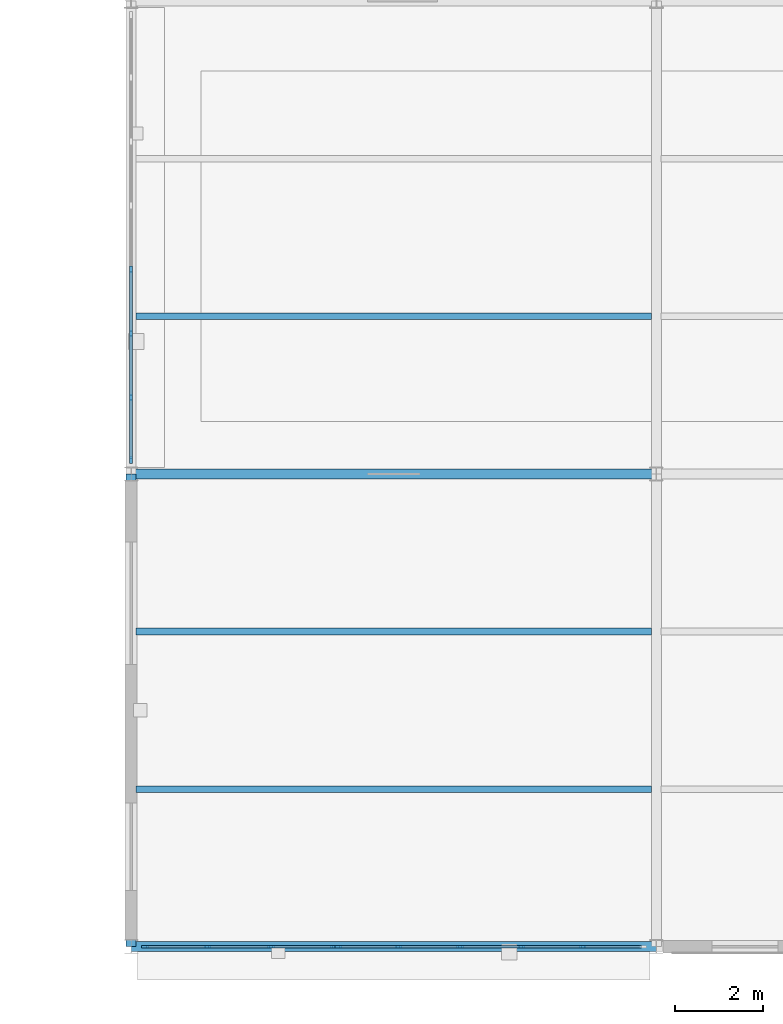
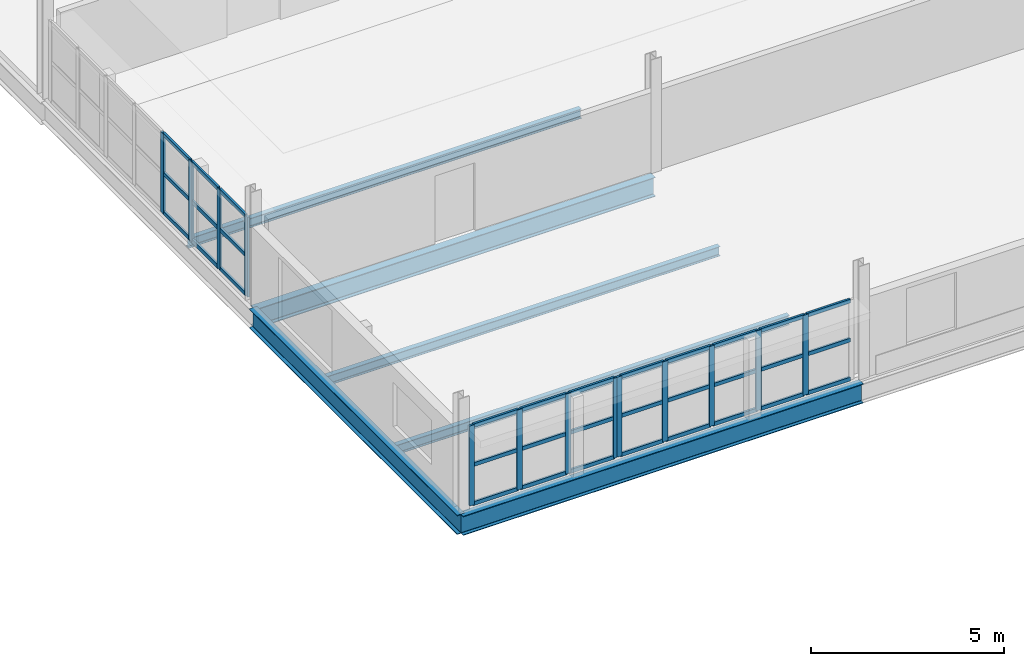
# One storey, part 29 of 101: 46 members, 6 beams, 3 elements without a shape of their own.
"""IFC4 building model written with IfcOpenShell, lengths in metres."""

from ifc_helpers import new_model, si_unit, direction, frame, origin, origin_2d, place, context, subcontext, project, spatial, rectangle, i_section, extrude, material, layer, layer_set, material_profile, profile_set, type_object, element, aggregate, save


model = new_model("IFC4")

# Units and contexts
model_context = context("Model", 3, precision=1e-05, world=origin(), true_north=direction((0.0, 1.0)))
body_context = subcontext(model_context, "Body", "Model", "MODEL_VIEW")
ifc_project = project(units=[si_unit("LENGTHUNIT", "METRE"), si_unit("AREAUNIT", "SQUARE_METRE"), si_unit("VOLUMEUNIT", "CUBIC_METRE"), si_unit("PLANEANGLEUNIT", "RADIAN"), si_unit("MASSUNIT", "GRAM", prefix="KILO"), si_unit("THERMODYNAMICTEMPERATUREUNIT", "KELVIN"), si_unit("POWERUNIT", "WATT")], contexts=[model_context])

# Site, building, storey
site_placement = place(None, origin())
site = spatial("IfcSite", under=ifc_project, at=site_placement, CompositionType="ELEMENT")
building_placement = place(site_placement, origin())
building = spatial("IfcBuilding", under=site, at=building_placement, Name="Tembeka Court Mobility Hub", CompositionType="ELEMENT")
storey_placement = place(building_placement, frame((0.0, 0.0, 5.39990234375)))
storey = spatial("IfcBuildingStorey", under=building, at=storey_placement, Name="L01", CompositionType="ELEMENT", Elevation=5.39990234375)

# Beams
ifc_material_1 = material(Name="Steel S355", Category="steel")
ifc_material_profile_1 = material_profile(ifc_material_1, i_section(OverallWidth=0.22900390625, OverallDepth=0.612060546875, WebThickness=0.011962890625, FlangeThickness=0.01953125, FilletRadius=0.0126953125, at=origin_2d()), Name="UKB 610x229x125")
ifc_profile_set_1 = profile_set([ifc_material_profile_1], Name="Steel S355")
beam_type_1 = type_object("IfcBeamType", Name="BM-G02", PredefinedType="USERDEFINED", material=ifc_profile_set_1)
for number, where, z_axis, x_axis, name in (
    (1, (116.39990234375, 0.0, -0.495849609375), (1.0, 0.0, 0.0), (0.0, 1.0, 0.0), "Beam G02 (BM-L01-X0616)"),
    (2, (116.39990234375, 10.800048828125, -0.495849609375), (1.0, 0.0, 0.0), (0.0, 1.0, 0.0), "Beam G02 (BM-L01-X0624)"),
):
    element("IfcBeam", number, at=place(storey_placement, frame(where, z_axis=z_axis, x_axis=x_axis)), inside=storey, type_object=beam_type_1, Name=name, ObjectType="GIRDER", PredefinedType="USERDEFINED", context=body_context, shape_type="SweptSolid", body=[
        extrude(i_section(OverallWidth=0.22900390625, OverallDepth=0.612060546875, WebThickness=0.011962890625, FlangeThickness=0.01953125, FilletRadius=0.0126953125, at=origin_2d()), origin(), (0.0, 0.0, 1.0), 12.0),
    ])
beam_placement = place(storey_placement, frame((116.39990234375, 0.0, -0.495849609375), z_axis=(0.0, 1.0, 0.0), x_axis=(-1.0, 0.0, 0.0)))
element("IfcBeam", 3, at=beam_placement, inside=storey, type_object=beam_type_1, Name="Beam G02 (BM-L01-Y0872)", ObjectType="GIRDER", PredefinedType="USERDEFINED", context=body_context, shape_type="SweptSolid", body=[
    extrude(i_section(OverallWidth=0.22900390625, OverallDepth=0.612060546875, WebThickness=0.011962890625, FlangeThickness=0.01953125, FilletRadius=0.0126953125, at=origin_2d()), origin(), (0.0, 0.0, 1.0), 10.800048828125),
])
ifc_material_profile_2 = material_profile(ifc_material_1, i_section(OverallWidth=0.14990234375, OverallDepth=0.300048828125, WebThickness=0.007080078125, FlangeThickness=0.0107421875, FilletRadius=0.014892578125, at=origin_2d()), Name="IPE 300")
ifc_profile_set_2 = profile_set([ifc_material_profile_2], Name="Steel S355")
beam_type_2 = type_object("IfcBeamType", Name="BM-J04", PredefinedType="JOIST", material=ifc_profile_set_2)
for number, where, z_axis, x_axis, name in (
    (4, (116.509521484375, 3.60009765625, -0.33984375), (1.0, 0.0, 0.0), (0.0, 1.0, 0.0), "Beam J04 (JST-L01-1107)"),
    (5, (116.509521484375, 7.199951171875, -0.33984375), (1.0, 0.0, 0.0), (0.0, 1.0, 0.0), "Beam J04 (JST-L01-1108)"),
    (6, (116.509521484375, 14.39990234375, -0.33984375), (1.0, 0.0, 0.0), (0.0, 1.0, 0.0), "Beam J04 (JST-L01-1109)"),
):
    element("IfcBeam", number, at=place(storey_placement, frame(where, z_axis=z_axis, x_axis=x_axis)), inside=storey, type_object=beam_type_2, Name=name, PredefinedType="JOIST", context=body_context, shape_type="SweptSolid", body=[
        extrude(i_section(OverallWidth=0.14990234375, OverallDepth=0.300048828125, WebThickness=0.007080078125, FlangeThickness=0.0107421875, FilletRadius=0.014892578125, at=origin_2d()), origin(), (0.0, 0.0, 1.0), 11.781005859375),
    ])

# Curtain wall, members
ifc_material_2 = material(Name="Anodised aluminium 6063-T6", Category="aluminium")
ifc_layer_1 = layer(ifc_material_2, 0.159912109375)
ifc_layer_set_1 = layer_set([ifc_layer_1], Name="Anodised aluminium 6063-T6")
curtain_wall_type_1 = type_object("IfcCurtainWallType", Name="CW-SYS37", PredefinedType="USERDEFINED", material=ifc_layer_set_1)
curtain_wall_1_placement = place(storey_placement, origin())
curtain_wall_1 = element("IfcCurtainWall", 7, at=curtain_wall_1_placement, inside=storey, type_object=curtain_wall_type_1, Name="Unitised curtain wall CW37 (CW-L01-105)", ObjectType="UNITISED GLAZING", PredefinedType="USERDEFINED")
ifc_material_profile_3 = material_profile(ifc_material_2, rectangle(XDim=0.06494140625, YDim=0.159912109375, at=origin_2d()), Name="ALU-MUL 65x160")
ifc_profile_set_3 = profile_set([ifc_material_profile_3], Name="Anodised aluminium 6063-T6")
member_type_1 = type_object("IfcMemberType", Name="CW-MUL01", PredefinedType="MULLION", material=ifc_profile_set_3)
member_1_placement = place(storey_placement, frame((116.71240234375, 0.0, 0.0), z_axis=(0.0, 0.0, 1.0), x_axis=(0.0, 1.0, 0.0)))
member_1 = element("IfcMember", 8, at=member_1_placement, type_object=member_type_1, Name="CW37 mullion 1", PredefinedType="MULLION", context=body_context, shape_type="SweptSolid", body=[
    extrude(rectangle(XDim=0.06494140625, YDim=0.159912109375, at=origin_2d()), origin(), (0.0, 0.0, 1.0), 2.53515625),
])
member_2_placement = place(storey_placement, frame((118.139892578125, 0.0, 0.0), z_axis=(0.0, 0.0, 1.0), x_axis=(0.0, 1.0, 0.0)))
member_2 = element("IfcMember", 9, at=member_2_placement, type_object=member_type_1, Name="CW37 mullion 2", PredefinedType="MULLION", context=body_context, shape_type="SweptSolid", body=[
    extrude(rectangle(XDim=0.06494140625, YDim=0.159912109375, at=origin_2d()), origin(), (0.0, 0.0, 1.0), 2.53515625),
])
member_3_placement = place(storey_placement, frame((119.60009765625, 0.0, 0.0), z_axis=(0.0, 0.0, 1.0), x_axis=(0.0, 1.0, 0.0)))
member_3 = element("IfcMember", 10, at=member_3_placement, type_object=member_type_1, Name="CW37 mullion 3", PredefinedType="MULLION", context=body_context, shape_type="SweptSolid", body=[
    extrude(rectangle(XDim=0.06494140625, YDim=0.159912109375, at=origin_2d()), origin(), (0.0, 0.0, 1.0), 2.53515625),
])
member_4_placement = place(storey_placement, frame((121.027587890625, 0.0, 0.0), z_axis=(0.0, 0.0, 1.0), x_axis=(0.0, 1.0, 0.0)))
member_4 = element("IfcMember", 11, at=member_4_placement, type_object=member_type_1, Name="CW37 mullion 4", PredefinedType="MULLION", context=body_context, shape_type="SweptSolid", body=[
    extrude(rectangle(XDim=0.06494140625, YDim=0.159912109375, at=origin_2d()), origin(), (0.0, 0.0, 1.0), 2.53515625),
])

ifc_layer_2 = layer(ifc_material_2, 0.159912109375)
ifc_layer_set_2 = layer_set([ifc_layer_2], Name="Anodised aluminium 6063-T6")
curtain_wall_type_2 = type_object("IfcCurtainWallType", Name="CW-SYS38", PredefinedType="USERDEFINED", material=ifc_layer_set_2)
curtain_wall_2_placement = place(storey_placement, origin())
curtain_wall_2 = element("IfcCurtainWall", 12, at=curtain_wall_2_placement, inside=storey, type_object=curtain_wall_type_2, Name="Unitised curtain wall CW38 (CW-L01-106)", ObjectType="UNITISED GLAZING", PredefinedType="USERDEFINED")
member_5_placement = place(storey_placement, frame((121.132568359375, 0.0, 0.0), z_axis=(0.0, 0.0, 1.0), x_axis=(0.0, 1.0, 0.0)))
member_5 = element("IfcMember", 13, at=member_5_placement, type_object=member_type_1, Name="CW38 mullion 1", PredefinedType="MULLION", context=body_context, shape_type="SweptSolid", body=[
    extrude(rectangle(XDim=0.06494140625, YDim=0.159912109375, at=origin_2d()), origin(), (0.0, 0.0, 1.0), 2.53515625),
])
member_6_placement = place(storey_placement, frame((122.50390625, 0.0, 0.0), z_axis=(0.0, 0.0, 1.0), x_axis=(0.0, 1.0, 0.0)))
member_6 = element("IfcMember", 14, at=member_6_placement, type_object=member_type_1, Name="CW38 mullion 2", PredefinedType="MULLION", context=body_context, shape_type="SweptSolid", body=[
    extrude(rectangle(XDim=0.06494140625, YDim=0.159912109375, at=origin_2d()), origin(), (0.0, 0.0, 1.0), 2.53515625),
])
member_7_placement = place(storey_placement, frame((123.907958984375, 0.0, 0.0), z_axis=(0.0, 0.0, 1.0), x_axis=(0.0, 1.0, 0.0)))
member_7 = element("IfcMember", 15, at=member_7_placement, type_object=member_type_1, Name="CW38 mullion 3", PredefinedType="MULLION", context=body_context, shape_type="SweptSolid", body=[
    extrude(rectangle(XDim=0.06494140625, YDim=0.159912109375, at=origin_2d()), origin(), (0.0, 0.0, 1.0), 2.53515625),
])
member_8_placement = place(storey_placement, frame((125.31201171875, 0.0, 0.0), z_axis=(0.0, 0.0, 1.0), x_axis=(0.0, 1.0, 0.0)))
member_8 = element("IfcMember", 16, at=member_8_placement, type_object=member_type_1, Name="CW38 mullion 4", PredefinedType="MULLION", context=body_context, shape_type="SweptSolid", body=[
    extrude(rectangle(XDim=0.06494140625, YDim=0.159912109375, at=origin_2d()), origin(), (0.0, 0.0, 1.0), 2.53515625),
])
member_9_placement = place(storey_placement, frame((126.716064453125, 0.0, 0.0), z_axis=(0.0, 0.0, 1.0), x_axis=(0.0, 1.0, 0.0)))
member_9 = element("IfcMember", 17, at=member_9_placement, type_object=member_type_1, Name="CW38 mullion 5", PredefinedType="MULLION", context=body_context, shape_type="SweptSolid", body=[
    extrude(rectangle(XDim=0.06494140625, YDim=0.159912109375, at=origin_2d()), origin(), (0.0, 0.0, 1.0), 2.53515625),
])

ifc_layer_3 = layer(ifc_material_2, 0.159912109375)
ifc_layer_set_3 = layer_set([ifc_layer_3], Name="Anodised aluminium 6063-T6")
curtain_wall_type_3 = type_object("IfcCurtainWallType", Name="CW-SYS42", PredefinedType="USERDEFINED", material=ifc_layer_set_3)
curtain_wall_3_placement = place(storey_placement, origin())
curtain_wall_3 = element("IfcCurtainWall", 18, at=curtain_wall_3_placement, inside=storey, type_object=curtain_wall_type_3, Name="Unitised curtain wall CW42 (CW-L01-117)", ObjectType="UNITISED GLAZING", PredefinedType="USERDEFINED")
member_10_placement = place(storey_placement, frame((116.39990234375, 11.112548828125, 0.0), z_axis=(0.0, 0.0, 1.0), x_axis=(-1.0, 0.0, 0.0)))
member_10 = element("IfcMember", 19, at=member_10_placement, type_object=member_type_1, Name="CW42 mullion 1", PredefinedType="MULLION", context=body_context, shape_type="SweptSolid", body=[
    extrude(rectangle(XDim=0.06494140625, YDim=0.159912109375, at=origin_2d()), origin(), (0.0, 0.0, 1.0), 2.53515625),
])
member_11_placement = place(storey_placement, frame((116.39990234375, 12.54296875, 0.0), z_axis=(0.0, 0.0, 1.0), x_axis=(-1.0, 0.0, 0.0)))
member_11 = element("IfcMember", 20, at=member_11_placement, type_object=member_type_1, Name="CW42 mullion 2", PredefinedType="MULLION", context=body_context, shape_type="SweptSolid", body=[
    extrude(rectangle(XDim=0.06494140625, YDim=0.159912109375, at=origin_2d()), origin(), (0.0, 0.0, 1.0), 2.53515625),
])
member_12_placement = place(storey_placement, frame((116.39990234375, 14.005615234375, 0.0), z_axis=(0.0, 0.0, 1.0), x_axis=(-1.0, 0.0, 0.0)))
member_12 = element("IfcMember", 21, at=member_12_placement, type_object=member_type_1, Name="CW42 mullion 3", PredefinedType="MULLION", context=body_context, shape_type="SweptSolid", body=[
    extrude(rectangle(XDim=0.06494140625, YDim=0.159912109375, at=origin_2d()), origin(), (0.0, 0.0, 1.0), 2.53515625),
])
member_13_placement = place(storey_placement, frame((116.39990234375, 15.468505859375, 0.0), z_axis=(0.0, 0.0, 1.0), x_axis=(-1.0, 0.0, 0.0)))
member_13 = element("IfcMember", 22, at=member_13_placement, type_object=member_type_1, Name="CW42 mullion 4", PredefinedType="MULLION", context=body_context, shape_type="SweptSolid", body=[
    extrude(rectangle(XDim=0.06494140625, YDim=0.159912109375, at=origin_2d()), origin(), (0.0, 0.0, 1.0), 2.53515625),
])

# Member
ifc_material_profile_4 = material_profile(ifc_material_2, rectangle(XDim=0.06494140625, YDim=0.1201171875, at=origin_2d()), Name="ALU-TRN 65x120")
ifc_profile_set_4 = profile_set([ifc_material_profile_4], Name="Anodised aluminium 6063-T6")
member_type_2 = type_object("IfcMemberType", Name="CW-TRN01", PredefinedType="USERDEFINED", material=ifc_profile_set_4)
member_14_placement = place(storey_placement, frame((116.7451171875, 0.0, 0.03271484375), z_axis=(1.0, 0.0, 0.0), x_axis=(0.0, 1.0, 0.0)))
member_14 = element("IfcMember", 23, at=member_14_placement, type_object=member_type_2, Name="CW37 transom 1.1", ObjectType="TRANSOM", PredefinedType="USERDEFINED", context=body_context, shape_type="SweptSolid", body=[
    extrude(rectangle(XDim=0.06494140625, YDim=0.1201171875, at=origin_2d()), origin(), (0.0, 0.0, 1.0), 1.3623046875),
])

member_15_placement = place(storey_placement, frame((116.7451171875, 0.0, 1.267578125), z_axis=(1.0, 0.0, 0.0), x_axis=(0.0, 1.0, 0.0)))
member_15 = element("IfcMember", 24, at=member_15_placement, type_object=member_type_2, Name="CW37 transom 1.2", ObjectType="TRANSOM", PredefinedType="USERDEFINED", context=body_context, shape_type="SweptSolid", body=[
    extrude(rectangle(XDim=0.06494140625, YDim=0.1201171875, at=origin_2d()), origin(), (0.0, 0.0, 1.0), 1.3623046875),
])

member_16_placement = place(storey_placement, frame((116.7451171875, 0.0, 2.502685546875), z_axis=(1.0, 0.0, 0.0), x_axis=(0.0, 1.0, 0.0)))
member_16 = element("IfcMember", 25, at=member_16_placement, type_object=member_type_2, Name="CW37 transom 1.3", ObjectType="TRANSOM", PredefinedType="USERDEFINED", context=body_context, shape_type="SweptSolid", body=[
    extrude(rectangle(XDim=0.06494140625, YDim=0.1201171875, at=origin_2d()), origin(), (0.0, 0.0, 1.0), 1.3623046875),
])

member_17_placement = place(storey_placement, frame((118.172607421875, 0.0, 0.03271484375), z_axis=(1.0, 0.0, 0.0), x_axis=(0.0, 1.0, 0.0)))
member_17 = element("IfcMember", 26, at=member_17_placement, type_object=member_type_2, Name="CW37 transom 2.1", ObjectType="TRANSOM", PredefinedType="USERDEFINED", context=body_context, shape_type="SweptSolid", body=[
    extrude(rectangle(XDim=0.06494140625, YDim=0.1201171875, at=origin_2d()), origin(), (0.0, 0.0, 1.0), 1.394775390625),
])

member_18_placement = place(storey_placement, frame((118.172607421875, 0.0, 1.267578125), z_axis=(1.0, 0.0, 0.0), x_axis=(0.0, 1.0, 0.0)))
member_18 = element("IfcMember", 27, at=member_18_placement, type_object=member_type_2, Name="CW37 transom 2.2", ObjectType="TRANSOM", PredefinedType="USERDEFINED", context=body_context, shape_type="SweptSolid", body=[
    extrude(rectangle(XDim=0.06494140625, YDim=0.1201171875, at=origin_2d()), origin(), (0.0, 0.0, 1.0), 1.394775390625),
])

member_19_placement = place(storey_placement, frame((118.172607421875, 0.0, 2.502685546875), z_axis=(1.0, 0.0, 0.0), x_axis=(0.0, 1.0, 0.0)))
member_19 = element("IfcMember", 28, at=member_19_placement, type_object=member_type_2, Name="CW37 transom 2.3", ObjectType="TRANSOM", PredefinedType="USERDEFINED", context=body_context, shape_type="SweptSolid", body=[
    extrude(rectangle(XDim=0.06494140625, YDim=0.1201171875, at=origin_2d()), origin(), (0.0, 0.0, 1.0), 1.394775390625),
])

member_20_placement = place(storey_placement, frame((119.632568359375, 0.0, 0.03271484375), z_axis=(1.0, 0.0, 0.0), x_axis=(0.0, 1.0, 0.0)))
member_20 = element("IfcMember", 29, at=member_20_placement, type_object=member_type_2, Name="CW37 transom 3.1", ObjectType="TRANSOM", PredefinedType="USERDEFINED", context=body_context, shape_type="SweptSolid", body=[
    extrude(rectangle(XDim=0.06494140625, YDim=0.1201171875, at=origin_2d()), origin(), (0.0, 0.0, 1.0), 1.362548828125),
])

member_21_placement = place(storey_placement, frame((119.632568359375, 0.0, 1.267578125), z_axis=(1.0, 0.0, 0.0), x_axis=(0.0, 1.0, 0.0)))
member_21 = element("IfcMember", 30, at=member_21_placement, type_object=member_type_2, Name="CW37 transom 3.2", ObjectType="TRANSOM", PredefinedType="USERDEFINED", context=body_context, shape_type="SweptSolid", body=[
    extrude(rectangle(XDim=0.06494140625, YDim=0.1201171875, at=origin_2d()), origin(), (0.0, 0.0, 1.0), 1.362548828125),
])

member_22_placement = place(storey_placement, frame((119.632568359375, 0.0, 2.502685546875), z_axis=(1.0, 0.0, 0.0), x_axis=(0.0, 1.0, 0.0)))
member_22 = element("IfcMember", 31, at=member_22_placement, type_object=member_type_2, Name="CW37 transom 3.3", ObjectType="TRANSOM", PredefinedType="USERDEFINED", context=body_context, shape_type="SweptSolid", body=[
    extrude(rectangle(XDim=0.06494140625, YDim=0.1201171875, at=origin_2d()), origin(), (0.0, 0.0, 1.0), 1.362548828125),
])

aggregate(curtain_wall_1, [member_1, member_2, member_3, member_4, member_14, member_15, member_16, member_17, member_18, member_19, member_20, member_21, member_22])

member_23_placement = place(storey_placement, frame((121.1650390625, 0.0, 0.03271484375), z_axis=(1.0, 0.0, 0.0), x_axis=(0.0, 1.0, 0.0)))
member_23 = element("IfcMember", 32, at=member_23_placement, type_object=member_type_2, Name="CW38 transom 1.1", ObjectType="TRANSOM", PredefinedType="USERDEFINED", context=body_context, shape_type="SweptSolid", body=[
    extrude(rectangle(XDim=0.06494140625, YDim=0.1201171875, at=origin_2d()), origin(), (0.0, 0.0, 1.0), 1.306396484375),
])

member_24_placement = place(storey_placement, frame((121.1650390625, 0.0, 1.267578125), z_axis=(1.0, 0.0, 0.0), x_axis=(0.0, 1.0, 0.0)))
member_24 = element("IfcMember", 33, at=member_24_placement, type_object=member_type_2, Name="CW38 transom 1.2", ObjectType="TRANSOM", PredefinedType="USERDEFINED", context=body_context, shape_type="SweptSolid", body=[
    extrude(rectangle(XDim=0.06494140625, YDim=0.1201171875, at=origin_2d()), origin(), (0.0, 0.0, 1.0), 1.306396484375),
])

member_25_placement = place(storey_placement, frame((121.1650390625, 0.0, 2.502685546875), z_axis=(1.0, 0.0, 0.0), x_axis=(0.0, 1.0, 0.0)))
member_25 = element("IfcMember", 34, at=member_25_placement, type_object=member_type_2, Name="CW38 transom 1.3", ObjectType="TRANSOM", PredefinedType="USERDEFINED", context=body_context, shape_type="SweptSolid", body=[
    extrude(rectangle(XDim=0.06494140625, YDim=0.1201171875, at=origin_2d()), origin(), (0.0, 0.0, 1.0), 1.306396484375),
])

member_26_placement = place(storey_placement, frame((122.53662109375, 0.0, 0.03271484375), z_axis=(1.0, 0.0, 0.0), x_axis=(0.0, 1.0, 0.0)))
member_26 = element("IfcMember", 35, at=member_26_placement, type_object=member_type_2, Name="CW38 transom 2.1", ObjectType="TRANSOM", PredefinedType="USERDEFINED", context=body_context, shape_type="SweptSolid", body=[
    extrude(rectangle(XDim=0.06494140625, YDim=0.1201171875, at=origin_2d()), origin(), (0.0, 0.0, 1.0), 1.3388671875),
])

member_27_placement = place(storey_placement, frame((122.53662109375, 0.0, 1.267578125), z_axis=(1.0, 0.0, 0.0), x_axis=(0.0, 1.0, 0.0)))
member_27 = element("IfcMember", 36, at=member_27_placement, type_object=member_type_2, Name="CW38 transom 2.2", ObjectType="TRANSOM", PredefinedType="USERDEFINED", context=body_context, shape_type="SweptSolid", body=[
    extrude(rectangle(XDim=0.06494140625, YDim=0.1201171875, at=origin_2d()), origin(), (0.0, 0.0, 1.0), 1.3388671875),
])

member_28_placement = place(storey_placement, frame((122.53662109375, 0.0, 2.502685546875), z_axis=(1.0, 0.0, 0.0), x_axis=(0.0, 1.0, 0.0)))
member_28 = element("IfcMember", 37, at=member_28_placement, type_object=member_type_2, Name="CW38 transom 2.3", ObjectType="TRANSOM", PredefinedType="USERDEFINED", context=body_context, shape_type="SweptSolid", body=[
    extrude(rectangle(XDim=0.06494140625, YDim=0.1201171875, at=origin_2d()), origin(), (0.0, 0.0, 1.0), 1.3388671875),
])

member_29_placement = place(storey_placement, frame((123.9404296875, 0.0, 0.03271484375), z_axis=(1.0, 0.0, 0.0), x_axis=(0.0, 1.0, 0.0)))
member_29 = element("IfcMember", 38, at=member_29_placement, type_object=member_type_2, Name="CW38 transom 3.1", ObjectType="TRANSOM", PredefinedType="USERDEFINED", context=body_context, shape_type="SweptSolid", body=[
    extrude(rectangle(XDim=0.06494140625, YDim=0.1201171875, at=origin_2d()), origin(), (0.0, 0.0, 1.0), 1.339111328125),
])

member_30_placement = place(storey_placement, frame((123.9404296875, 0.0, 1.267578125), z_axis=(1.0, 0.0, 0.0), x_axis=(0.0, 1.0, 0.0)))
member_30 = element("IfcMember", 39, at=member_30_placement, type_object=member_type_2, Name="CW38 transom 3.2", ObjectType="TRANSOM", PredefinedType="USERDEFINED", context=body_context, shape_type="SweptSolid", body=[
    extrude(rectangle(XDim=0.06494140625, YDim=0.1201171875, at=origin_2d()), origin(), (0.0, 0.0, 1.0), 1.339111328125),
])

member_31_placement = place(storey_placement, frame((123.9404296875, 0.0, 2.502685546875), z_axis=(1.0, 0.0, 0.0), x_axis=(0.0, 1.0, 0.0)))
member_31 = element("IfcMember", 40, at=member_31_placement, type_object=member_type_2, Name="CW38 transom 3.3", ObjectType="TRANSOM", PredefinedType="USERDEFINED", context=body_context, shape_type="SweptSolid", body=[
    extrude(rectangle(XDim=0.06494140625, YDim=0.1201171875, at=origin_2d()), origin(), (0.0, 0.0, 1.0), 1.339111328125),
])

member_32_placement = place(storey_placement, frame((125.344482421875, 0.0, 0.03271484375), z_axis=(1.0, 0.0, 0.0), x_axis=(0.0, 1.0, 0.0)))
member_32 = element("IfcMember", 41, at=member_32_placement, type_object=member_type_2, Name="CW38 transom 4.1", ObjectType="TRANSOM", PredefinedType="USERDEFINED", context=body_context, shape_type="SweptSolid", body=[
    extrude(rectangle(XDim=0.06494140625, YDim=0.1201171875, at=origin_2d()), origin(), (0.0, 0.0, 1.0), 1.339111328125),
])

member_33_placement = place(storey_placement, frame((125.344482421875, 0.0, 1.267578125), z_axis=(1.0, 0.0, 0.0), x_axis=(0.0, 1.0, 0.0)))
member_33 = element("IfcMember", 42, at=member_33_placement, type_object=member_type_2, Name="CW38 transom 4.2", ObjectType="TRANSOM", PredefinedType="USERDEFINED", context=body_context, shape_type="SweptSolid", body=[
    extrude(rectangle(XDim=0.06494140625, YDim=0.1201171875, at=origin_2d()), origin(), (0.0, 0.0, 1.0), 1.339111328125),
])

member_34_placement = place(storey_placement, frame((125.344482421875, 0.0, 2.502685546875), z_axis=(1.0, 0.0, 0.0), x_axis=(0.0, 1.0, 0.0)))
member_34 = element("IfcMember", 43, at=member_34_placement, type_object=member_type_2, Name="CW38 transom 4.3", ObjectType="TRANSOM", PredefinedType="USERDEFINED", context=body_context, shape_type="SweptSolid", body=[
    extrude(rectangle(XDim=0.06494140625, YDim=0.1201171875, at=origin_2d()), origin(), (0.0, 0.0, 1.0), 1.339111328125),
])

member_35_placement = place(storey_placement, frame((126.74853515625, 0.0, 0.03271484375), z_axis=(1.0, 0.0, 0.0), x_axis=(0.0, 1.0, 0.0)))
member_35 = element("IfcMember", 44, at=member_35_placement, type_object=member_type_2, Name="CW38 transom 5.1", ObjectType="TRANSOM", PredefinedType="USERDEFINED", context=body_context, shape_type="SweptSolid", body=[
    extrude(rectangle(XDim=0.06494140625, YDim=0.1201171875, at=origin_2d()), origin(), (0.0, 0.0, 1.0), 1.306396484375),
])

member_36_placement = place(storey_placement, frame((126.74853515625, 0.0, 1.267578125), z_axis=(1.0, 0.0, 0.0), x_axis=(0.0, 1.0, 0.0)))
member_36 = element("IfcMember", 45, at=member_36_placement, type_object=member_type_2, Name="CW38 transom 5.2", ObjectType="TRANSOM", PredefinedType="USERDEFINED", context=body_context, shape_type="SweptSolid", body=[
    extrude(rectangle(XDim=0.06494140625, YDim=0.1201171875, at=origin_2d()), origin(), (0.0, 0.0, 1.0), 1.306396484375),
])

member_37_placement = place(storey_placement, frame((126.74853515625, 0.0, 2.502685546875), z_axis=(1.0, 0.0, 0.0), x_axis=(0.0, 1.0, 0.0)))
member_37 = element("IfcMember", 46, at=member_37_placement, type_object=member_type_2, Name="CW38 transom 5.3", ObjectType="TRANSOM", PredefinedType="USERDEFINED", context=body_context, shape_type="SweptSolid", body=[
    extrude(rectangle(XDim=0.06494140625, YDim=0.1201171875, at=origin_2d()), origin(), (0.0, 0.0, 1.0), 1.306396484375),
])

aggregate(curtain_wall_2, [member_5, member_6, member_7, member_8, member_9, member_23, member_24, member_25, member_26, member_27, member_28, member_29, member_30, member_31, member_32, member_33, member_34, member_35, member_36, member_37])

member_38_placement = place(storey_placement, frame((116.39990234375, 11.14501953125, 0.03271484375), z_axis=(0.0, 1.0, 0.0), x_axis=(-1.0, 0.0, 0.0)))
member_38 = element("IfcMember", 47, at=member_38_placement, type_object=member_type_2, Name="CW42 transom 1.1", ObjectType="TRANSOM", PredefinedType="USERDEFINED", context=body_context, shape_type="SweptSolid", body=[
    extrude(rectangle(XDim=0.06494140625, YDim=0.1201171875, at=origin_2d()), origin(), (0.0, 0.0, 1.0), 1.365234375),
])

member_39_placement = place(storey_placement, frame((116.39990234375, 11.14501953125, 1.267578125), z_axis=(0.0, 1.0, 0.0), x_axis=(-1.0, 0.0, 0.0)))
member_39 = element("IfcMember", 48, at=member_39_placement, type_object=member_type_2, Name="CW42 transom 1.2", ObjectType="TRANSOM", PredefinedType="USERDEFINED", context=body_context, shape_type="SweptSolid", body=[
    extrude(rectangle(XDim=0.06494140625, YDim=0.1201171875, at=origin_2d()), origin(), (0.0, 0.0, 1.0), 1.365234375),
])

member_40_placement = place(storey_placement, frame((116.39990234375, 11.14501953125, 2.502685546875), z_axis=(0.0, 1.0, 0.0), x_axis=(-1.0, 0.0, 0.0)))
member_40 = element("IfcMember", 49, at=member_40_placement, type_object=member_type_2, Name="CW42 transom 1.3", ObjectType="TRANSOM", PredefinedType="USERDEFINED", context=body_context, shape_type="SweptSolid", body=[
    extrude(rectangle(XDim=0.06494140625, YDim=0.1201171875, at=origin_2d()), origin(), (0.0, 0.0, 1.0), 1.365234375),
])

member_41_placement = place(storey_placement, frame((116.39990234375, 12.575439453125, 0.03271484375), z_axis=(0.0, 1.0, 0.0), x_axis=(-1.0, 0.0, 0.0)))
member_41 = element("IfcMember", 50, at=member_41_placement, type_object=member_type_2, Name="CW42 transom 2.1", ObjectType="TRANSOM", PredefinedType="USERDEFINED", context=body_context, shape_type="SweptSolid", body=[
    extrude(rectangle(XDim=0.06494140625, YDim=0.1201171875, at=origin_2d()), origin(), (0.0, 0.0, 1.0), 1.397705078125),
])

member_42_placement = place(storey_placement, frame((116.39990234375, 12.575439453125, 1.267578125), z_axis=(0.0, 1.0, 0.0), x_axis=(-1.0, 0.0, 0.0)))
member_42 = element("IfcMember", 51, at=member_42_placement, type_object=member_type_2, Name="CW42 transom 2.2", ObjectType="TRANSOM", PredefinedType="USERDEFINED", context=body_context, shape_type="SweptSolid", body=[
    extrude(rectangle(XDim=0.06494140625, YDim=0.1201171875, at=origin_2d()), origin(), (0.0, 0.0, 1.0), 1.397705078125),
])

member_43_placement = place(storey_placement, frame((116.39990234375, 12.575439453125, 2.502685546875), z_axis=(0.0, 1.0, 0.0), x_axis=(-1.0, 0.0, 0.0)))
member_43 = element("IfcMember", 52, at=member_43_placement, type_object=member_type_2, Name="CW42 transom 2.3", ObjectType="TRANSOM", PredefinedType="USERDEFINED", context=body_context, shape_type="SweptSolid", body=[
    extrude(rectangle(XDim=0.06494140625, YDim=0.1201171875, at=origin_2d()), origin(), (0.0, 0.0, 1.0), 1.397705078125),
])

member_44_placement = place(storey_placement, frame((116.39990234375, 14.038330078125, 0.03271484375), z_axis=(0.0, 1.0, 0.0), x_axis=(-1.0, 0.0, 0.0)))
member_44 = element("IfcMember", 53, at=member_44_placement, type_object=member_type_2, Name="CW42 transom 3.1", ObjectType="TRANSOM", PredefinedType="USERDEFINED", context=body_context, shape_type="SweptSolid", body=[
    extrude(rectangle(XDim=0.06494140625, YDim=0.1201171875, at=origin_2d()), origin(), (0.0, 0.0, 1.0), 1.397705078125),
])

member_45_placement = place(storey_placement, frame((116.39990234375, 14.038330078125, 1.267578125), z_axis=(0.0, 1.0, 0.0), x_axis=(-1.0, 0.0, 0.0)))
member_45 = element("IfcMember", 54, at=member_45_placement, type_object=member_type_2, Name="CW42 transom 3.2", ObjectType="TRANSOM", PredefinedType="USERDEFINED", context=body_context, shape_type="SweptSolid", body=[
    extrude(rectangle(XDim=0.06494140625, YDim=0.1201171875, at=origin_2d()), origin(), (0.0, 0.0, 1.0), 1.397705078125),
])

member_46_placement = place(storey_placement, frame((116.39990234375, 14.038330078125, 2.502685546875), z_axis=(0.0, 1.0, 0.0), x_axis=(-1.0, 0.0, 0.0)))
member_46 = element("IfcMember", 55, at=member_46_placement, type_object=member_type_2, Name="CW42 transom 3.3", ObjectType="TRANSOM", PredefinedType="USERDEFINED", context=body_context, shape_type="SweptSolid", body=[
    extrude(rectangle(XDim=0.06494140625, YDim=0.1201171875, at=origin_2d()), origin(), (0.0, 0.0, 1.0), 1.397705078125),
])

aggregate(curtain_wall_3, [member_10, member_11, member_12, member_13, member_38, member_39, member_40, member_41, member_42, member_43, member_44, member_45, member_46])

save(model, "model.ifc")
